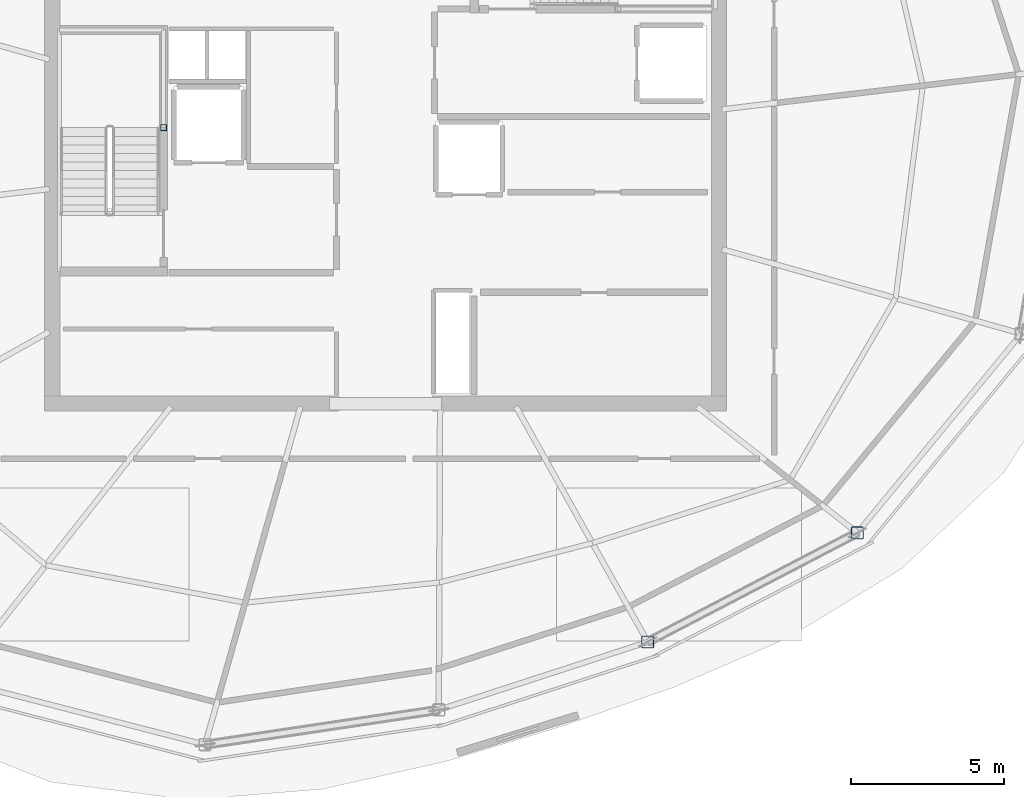
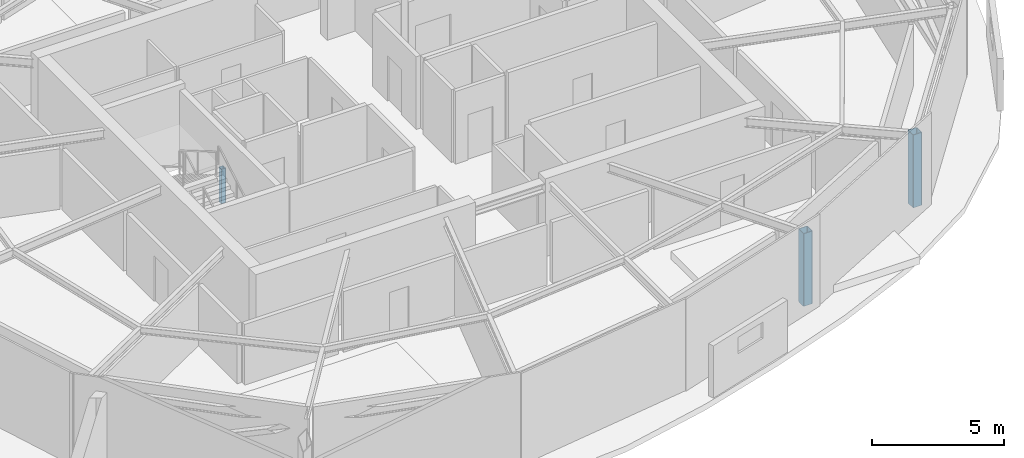
# One storey, part 2 of 10: 3 columns.
"""IFC4 building model written with IfcOpenShell, lengths in metres."""

from ifc_helpers import new_model, si_unit, direction, frame, origin, origin_2d, place, context, subcontext, project, spatial, hollow_rectangle, extrude, material, material_profile, profile_set, type_object, element, save


model = new_model("IFC4")

# Units and contexts
model_context = context("Model", 3, precision=1e-05, world=origin(), true_north=direction((0.0, 1.0)))
body_context = subcontext(model_context, "Body", "Model", "MODEL_VIEW")
ifc_project = project(units=[si_unit("LENGTHUNIT", "METRE"), si_unit("AREAUNIT", "SQUARE_METRE"), si_unit("VOLUMEUNIT", "CUBIC_METRE"), si_unit("PLANEANGLEUNIT", "RADIAN"), si_unit("MASSUNIT", "GRAM", prefix="KILO")], contexts=[model_context])

# Site, building, storey
site_placement = place(None, origin())
site = spatial("IfcSite", under=ifc_project, at=site_placement, CompositionType="ELEMENT")
building_placement = place(site_placement, origin())
building = spatial("IfcBuilding", under=site, at=building_placement, Name="Kazma Halo Residences", CompositionType="ELEMENT")
storey_placement = place(building_placement, frame((0.0, 0.0, 374.0)))
storey = spatial("IfcBuildingStorey", under=building, at=storey_placement, Name="L94", CompositionType="ELEMENT", Elevation=374.0)

# Columns
ifc_material = material(Name="Steel S355", Category="steel")
ifc_material_profile_1 = material_profile(ifc_material, hollow_rectangle(XDim=0.39990234375, YDim=0.39990234375, WallThickness=0.02001953125, InnerFilletRadius=0.02001953125, OuterFilletRadius=0.0400390625, at=origin_2d()), Name="SHS400x400x20")
ifc_profile_set_1 = profile_set([ifc_material_profile_1], Name="Steel S355")
column_type_1 = type_object("IfcColumnType", Name="COL-CROWN-SHS400", PredefinedType="COLUMN", material=ifc_profile_set_1)
for number, where, z_axis, x_axis, name in (
    (1, (56.9765625, 25.97119140625, 0.0), (0.0, 0.0, 1.0), (1.0, 0.0, 0.0), "L94 CROWN FRAME perimeter column P13"),
    (2, (63.815185546875, 29.532470703125, 0.0), (0.0, 0.0, 1.0), (1.0, 0.0, 0.0), "L94 CROWN FRAME perimeter column P14"),
):
    element("IfcColumn", number, at=place(storey_placement, frame(where, z_axis=z_axis, x_axis=x_axis)), inside=storey, type_object=column_type_1, Name=name, PredefinedType="COLUMN", context=body_context, shape_type="SweptSolid", body=[
        extrude(hollow_rectangle(XDim=0.39990234375, YDim=0.39990234375, WallThickness=0.02001953125, InnerFilletRadius=0.02001953125, OuterFilletRadius=0.0400390625, at=origin_2d()), origin(), (0.0, 0.0, 1.0), 3.360107421875),
    ])
ifc_material_profile_2 = material_profile(ifc_material, hollow_rectangle(XDim=0.199951171875, YDim=0.199951171875, WallThickness=0.010009765625, InnerFilletRadius=0.010009765625, OuterFilletRadius=0.02001953125, at=origin_2d()), Name="SHS200x200x10")
ifc_profile_set_2 = profile_set([ifc_material_profile_2], Name="Steel S355")
column_type_2 = type_object("IfcColumnType", Name="COL-LP-SHS200", PredefinedType="COLUMN", material=ifc_profile_set_2)
column_placement = place(storey_placement, frame((41.179931640625, 42.75, 0.0), z_axis=(0.0, 0.0, 1.0), x_axis=(1.0, 0.0, 0.0)))
element("IfcColumn", 3, at=column_placement, inside=storey, type_object=column_type_2, Name="L94 ST-01 landing pilaster 1", PredefinedType="COLUMN", context=body_context, shape_type="SweptSolid", body=[
    extrude(hollow_rectangle(XDim=0.199951171875, YDim=0.199951171875, WallThickness=0.010009765625, InnerFilletRadius=0.010009765625, OuterFilletRadius=0.02001953125, at=origin_2d()), origin(), (0.0, 0.0, 1.0), 1.594970703125),
])

save(model, "model.ifc")
